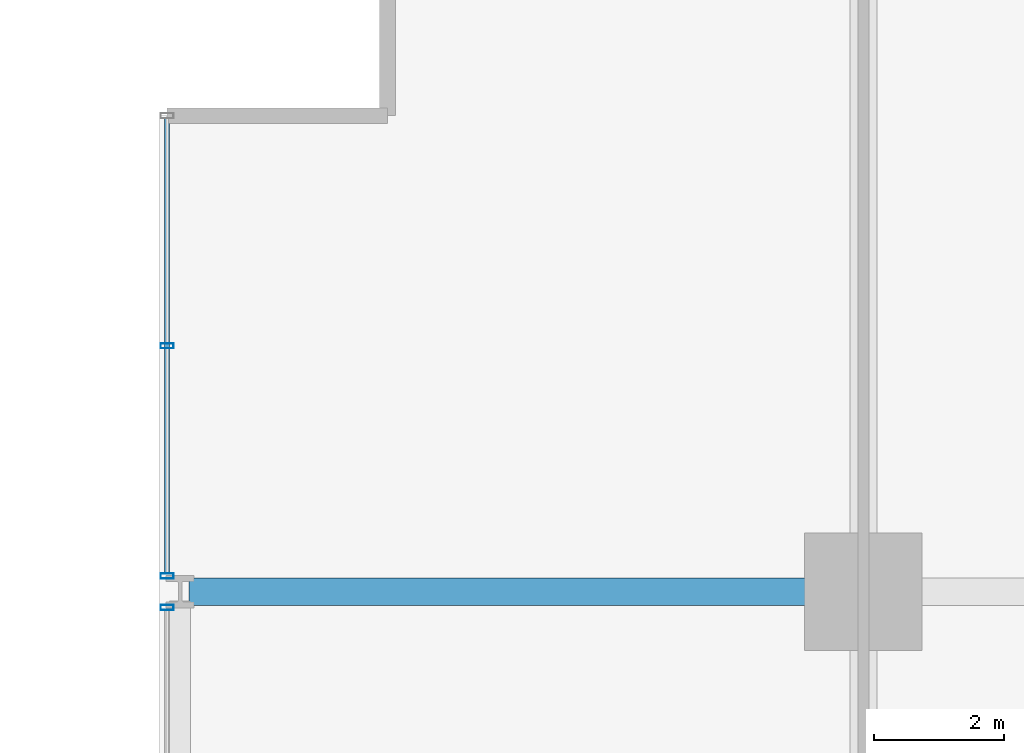
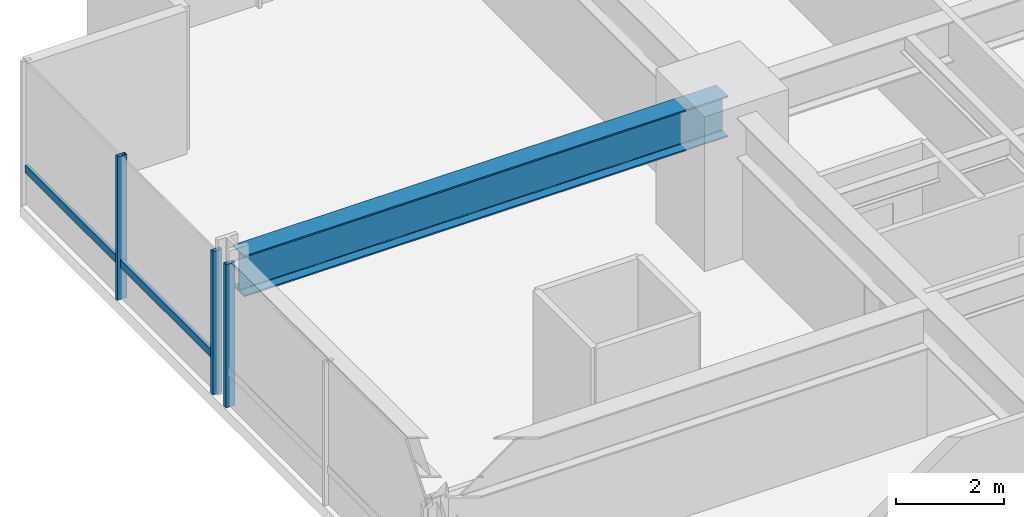
# One storey, part 19 of 39: 4 members, 1 beam, 2 elements without a shape of their own.
"""IFC4 building model written with IfcOpenShell, lengths in metres."""

from ifc_helpers import new_model, si_unit, direction, frame, origin, origin_2d, place, context, subcontext, project, spatial, hollow_rectangle, i_section, extrude, material, layer, layer_set, material_profile, profile_set, type_object, element, aggregate, save


model = new_model("IFC4")

# Units and contexts
model_context = context("Model", 3, precision=1e-05, world=origin(), true_north=direction((0.0, 1.0)))
body_context = subcontext(model_context, "Body", "Model", "MODEL_VIEW")
ifc_project = project(units=[si_unit("LENGTHUNIT", "METRE"), si_unit("AREAUNIT", "SQUARE_METRE"), si_unit("VOLUMEUNIT", "CUBIC_METRE"), si_unit("PLANEANGLEUNIT", "RADIAN"), si_unit("MASSUNIT", "GRAM", prefix="KILO")], contexts=[model_context])

# Site, building, storey
site_placement = place(None, origin())
site = spatial("IfcSite", under=ifc_project, at=site_placement, CompositionType="ELEMENT")
building_placement = place(site_placement, origin())
building = spatial("IfcBuilding", under=site, at=building_placement, Name="Drelvath Grand Hotel", CompositionType="ELEMENT")
storey_placement = place(building_placement, frame((0.0, 0.0, 36.699951171875)))
storey = spatial("IfcBuildingStorey", under=building, at=storey_placement, Name="L07", CompositionType="ELEMENT", Elevation=36.699951171875)

# Curtain wall, member
ifc_material_1 = material(Name="Warm Bronze Anodised Aluminium Frame", Category="aluminium")
ifc_layer = layer(ifc_material_1, 0.199951171875)
ifc_layer_set = layer_set([ifc_layer], Name="Warm Bronze Anodised Aluminium Frame")
curtain_wall_type = type_object("IfcCurtainWallType", Name="Stick Curtain Wall CW-02 Warm Bronze Low-Rise", PredefinedType="NOTDEFINED", material=ifc_layer_set)
curtain_wall_1_placement = place(storey_placement, origin())
curtain_wall_1 = element("IfcCurtainWall", 1, at=curtain_wall_1_placement, inside=storey, type_object=curtain_wall_type, Name="L07 CW-02 Curtain Wall CW02-L07-WN3", PredefinedType="NOTDEFINED")
ifc_material_profile_1 = material_profile(ifc_material_1, hollow_rectangle(XDim=0.074951171875, YDim=0.179931640625, WallThickness=0.0048828125, at=origin_2d()), Name="HSS180X75X5")
ifc_profile_set_1 = profile_set([ifc_material_profile_1], Name="Warm Bronze Anodised Aluminium Frame")
member_type_1 = type_object("IfcMemberType", Name="Curtain Wall Horizontal Transom CW-02 HSS180X75X5", PredefinedType="USERDEFINED", material=ifc_profile_set_1)
member_1_placement = place(storey_placement, frame((-26.8798828125, 43.48095703125, 0.81005859375), z_axis=(0.0, 1.0, 0.0), x_axis=(-1.0, 0.0, 0.0)))
member_1 = element("IfcMember", 2, at=member_1_placement, type_object=member_type_1, Name="CW02-L07-WN3 Sill Transom", ObjectType="TRANSOM", PredefinedType="USERDEFINED", context=body_context, shape_type="SweptSolid", body=[
    extrude(hollow_rectangle(XDim=0.074951171875, YDim=0.179931640625, WallThickness=0.0048828125, at=origin_2d()), origin(), (0.0, 0.0, 1.0), 6.97900390625),
])

curtain_wall_2_placement = place(storey_placement, origin())
curtain_wall_2 = element("IfcCurtainWall", 3, at=curtain_wall_2_placement, inside=storey, type_object=curtain_wall_type, Name="L07 CW-02 Curtain Wall CW02-L07-WN2", PredefinedType="NOTDEFINED")
ifc_material_profile_2 = material_profile(ifc_material_1, hollow_rectangle(XDim=0.080078125, YDim=0.199951171875, WallThickness=0.0048828125, at=origin_2d()), Name="HSS200X80X5")
ifc_profile_set_2 = profile_set([ifc_material_profile_2], Name="Warm Bronze Anodised Aluminium Frame")
member_type_2 = type_object("IfcMemberType", Name="Curtain Wall Vertical Mullion CW-02 HSS200X80X5", PredefinedType="MULLION", material=ifc_profile_set_2)
member_2_placement = place(storey_placement, frame((-26.8798828125, 42.958984375, 0.0), z_axis=(0.0, 0.0, 1.0), x_axis=(0.0, 1.0, 0.0)))
member_2 = element("IfcMember", 4, at=member_2_placement, type_object=member_type_2, Name="CW02-L07-WN2 Mullion 3", PredefinedType="MULLION", context=body_context, shape_type="SweptSolid", body=[
    extrude(hollow_rectangle(XDim=0.080078125, YDim=0.199951171875, WallThickness=0.0048828125, at=origin_2d()), origin(), (0.0, 0.0, 1.0), 3.239990234375),
])
aggregate(curtain_wall_2, [member_2])

# Member
member_3_placement = place(storey_placement, frame((-26.8798828125, 43.44091796875, 0.0), z_axis=(0.0, 0.0, 1.0), x_axis=(0.0, 1.0, 0.0)))
member_3 = element("IfcMember", 5, at=member_3_placement, type_object=member_type_2, Name="CW02-L07-WN3 Mullion 1", PredefinedType="MULLION", context=body_context, shape_type="SweptSolid", body=[
    extrude(hollow_rectangle(XDim=0.080078125, YDim=0.199951171875, WallThickness=0.0048828125, at=origin_2d()), origin(), (0.0, 0.0, 1.0), 3.239990234375),
])

member_4_placement = place(storey_placement, frame((-26.8798828125, 46.970458984375, 0.0), z_axis=(0.0, 0.0, 1.0), x_axis=(0.0, 1.0, 0.0)))
member_4 = element("IfcMember", 6, at=member_4_placement, type_object=member_type_2, Name="CW02-L07-WN3 Mullion 2", PredefinedType="MULLION", context=body_context, shape_type="SweptSolid", body=[
    extrude(hollow_rectangle(XDim=0.080078125, YDim=0.199951171875, WallThickness=0.0048828125, at=origin_2d()), origin(), (0.0, 0.0, 1.0), 3.239990234375),
])

aggregate(curtain_wall_1, [member_3, member_4, member_1])

# Beam
ifc_material_2 = material(Name="Steel ASTM A992 Gr 50", Category="steel")
ifc_material_profile_3 = material_profile(ifc_material_2, i_section(OverallWidth=0.418212890625, OverallDepth=0.926513671875, WebThickness=0.019287109375, FlangeThickness=0.031982421875, FilletRadius=0.028076171875, at=origin_2d()), Name="W36X231")
ifc_profile_set_3 = profile_set([ifc_material_profile_3], Name="Steel ASTM A992 Gr 50")
beam_type = type_object("IfcBeamType", Name="Primary Floor Girder W36X231", PredefinedType="BEAM", material=ifc_profile_set_3)
beam_placement = place(storey_placement, frame((-26.5400390625, 43.199951171875, 2.77685546875), z_axis=(1.0, 0.0, 0.0), x_axis=(0.0, 1.0, 0.0)))
element("IfcBeam", 7, at=beam_placement, inside=storey, type_object=beam_type, Name="L07 West Grid Girder G", PredefinedType="BEAM", context=body_context, shape_type="SweptSolid", body=[
    extrude(i_section(OverallWidth=0.418212890625, OverallDepth=0.926513671875, WebThickness=0.019287109375, FlangeThickness=0.031982421875, FilletRadius=0.028076171875, at=origin_2d()), origin(), (0.0, 0.0, 1.0), 10.340087890625),
])

save(model, "model.ifc")
